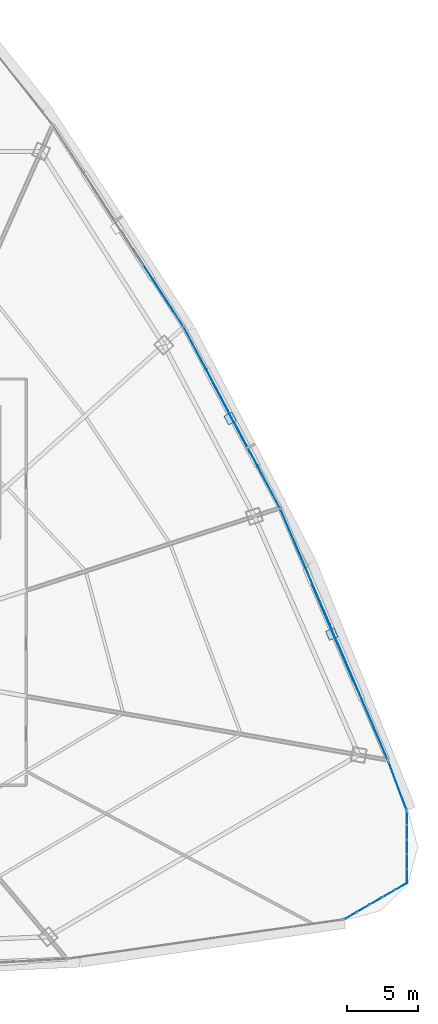
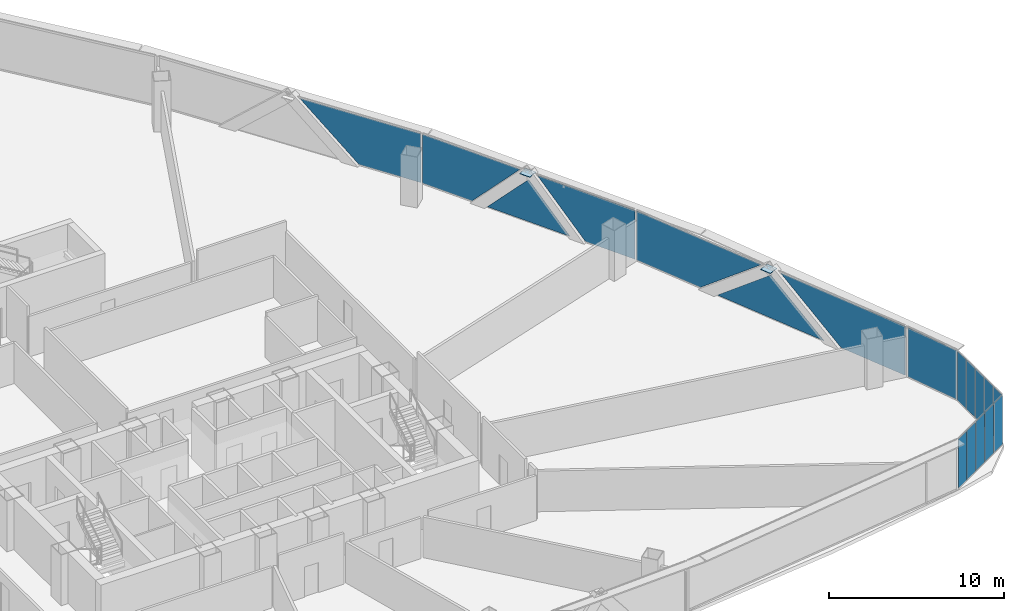
# One storey, part 30 of 39: 20 plates, 6 elements without a shape of their own.
"""IFC4 building model written with IfcOpenShell, lengths in metres."""

from ifc_helpers import new_model, si_unit, direction, frame, origin, origin_2d, place, context, subcontext, project, spatial, polyline, rectangle, outline, extrude, source, transform, mapped, material, layer, layer_set, type_object, element, aggregate, save


model = new_model("IFC4")

# Units and contexts
model_context = context("Model", 3, precision=1e-05, world=origin(), true_north=direction((0.0, 1.0)))
body_context = subcontext(model_context, "Body", "Model", "MODEL_VIEW")
ifc_project = project(units=[si_unit("LENGTHUNIT", "METRE"), si_unit("AREAUNIT", "SQUARE_METRE"), si_unit("VOLUMEUNIT", "CUBIC_METRE"), si_unit("PLANEANGLEUNIT", "RADIAN"), si_unit("MASSUNIT", "GRAM", prefix="KILO"), si_unit("THERMODYNAMICTEMPERATUREUNIT", "KELVIN"), si_unit("POWERUNIT", "WATT")], contexts=[model_context])

# Site, building, storey
site_placement = place(None, origin())
site = spatial("IfcSite", under=ifc_project, at=site_placement, CompositionType="ELEMENT")
building_placement = place(site_placement, origin())
building = spatial("IfcBuilding", under=site, at=building_placement, Name="Yunzhuo Pagoda Commons", CompositionType="ELEMENT")
storey_placement = place(building_placement, frame((0.0, 0.0, 100.179931640625)))
storey = spatial("IfcBuildingStorey", under=building, at=storey_placement, Name="L25", CompositionType="ELEMENT", Elevation=100.179931640625)

# Curtain wall, plates
ifc_material_1 = material(Name="Anodized aluminium 6063-T6", Category="aluminium")
ifc_layer_1 = layer(ifc_material_1, 0.1650390625)
ifc_layer_set_1 = layer_set([ifc_layer_1], Name="Anodized aluminium 6063-T6")
curtain_wall_type_1 = type_object("IfcCurtainWallType", Name="CW-LOW Low-Zone Ribbon Curtain Wall", PredefinedType="NOTDEFINED", material=ifc_layer_set_1)
curtain_wall_1_placement = place(storey_placement, origin())
curtain_wall_1 = element("IfcCurtainWall", 1, at=curtain_wall_1_placement, inside=storey, type_object=curtain_wall_type_1, Name="L25 curtain wall CW-L25-F2B2", PredefinedType="NOTDEFINED")
ifc_material_2 = material(Name="Tempered low-e double glazing", Category="glass")
ifc_layer_2 = layer(ifc_material_2, 0.028076171875)
ifc_layer_set_2 = layer_set([ifc_layer_2], Name="Tempered low-e double glazing")
plate_type_1 = type_object("IfcPlateType", Name="CW-LOW-P Low-E Double Glazing 28", PredefinedType="CURTAIN_PANEL", material=ifc_layer_set_2)
plate_1_placement = place(storey_placement, frame((86.6123046875, 30.727294921875, 1.77001953125), z_axis=(0.919382894415, 0.393363818185, 0.0), x_axis=(-0.393363818185, 0.919382894415, 0.0)))
plate_1 = element("IfcPlate", 2, at=plate_1_placement, type_object=plate_type_1, Name="CW panel 1.1 lite 1", PredefinedType="CURTAIN_PANEL", context=body_context, shape_type="SweptSolid", body=[
    extrude(outline(polyline([(-4.456787109375, -1.7099609375), (0.105224609375, -1.7099609375), (4.456787109375, 1.7099609375), (-4.456787109375, 1.7099609375), (-4.456787109375, -1.7099609375)])), origin(), (0.0, 0.0, 1.0), 0.028076171875),
])
plate_2_placement = place(storey_placement, frame((84.5595703125, 35.448486328125, 1.558349609375), z_axis=(0.919382894415, 0.393363818185, 0.0), x_axis=(-0.393363818185, 0.919382894415, 0.0)))
plate_2 = element("IfcPlate", 3, at=plate_2_placement, type_object=plate_type_1, Name="CW panel 1.1 lite 2", PredefinedType="CURTAIN_PANEL", context=body_context, shape_type="SweptSolid", body=[
    extrude(outline(polyline([(-3.812744140625, -1.498291015625), (3.812744140625, -1.498291015625), (0.0, 1.498291015625), (-3.812744140625, -1.498291015625)])), origin(), (0.0, 0.0, 1.0), 0.028076171875),
])
plate_3_placement = place(storey_placement, frame((82.562255859375, 40.193359375, 1.77001953125), z_axis=(0.919382894415, 0.393363818185, 0.0), x_axis=(-0.393363818185, 0.919382894415, 0.0)))
plate_3 = element("IfcPlate", 4, at=plate_3_placement, type_object=plate_type_1, Name="CW panel 1.1 lite 3", PredefinedType="CURTAIN_PANEL", context=body_context, shape_type="SweptSolid", body=[
    extrude(outline(polyline([(-4.456787109375, 1.7099609375), (-0.105224609375, -1.7099609375), (4.456787109375, -1.7099609375), (4.456787109375, 1.7099609375), (-4.456787109375, 1.7099609375)])), origin(), (0.0, 0.0, 1.0), 0.028076171875),
])
aggregate(curtain_wall_1, [plate_1, plate_2, plate_3])

curtain_wall_2_placement = place(storey_placement, origin())
curtain_wall_2 = element("IfcCurtainWall", 5, at=curtain_wall_2_placement, inside=storey, type_object=curtain_wall_type_1, Name="L25 curtain wall CW-L25-F2B3", PredefinedType="NOTDEFINED")
plate_4_placement = place(storey_placement, frame((79.208740234375, 47.3125, 1.77001953125), z_axis=(0.882975865639, 0.469418385558, 0.0), x_axis=(-0.469418385558, 0.882975865639, 0.0)))
plate_4 = element("IfcPlate", 6, at=plate_4_placement, type_object=plate_type_1, Name="CW panel 1.1 lite 1", PredefinedType="CURTAIN_PANEL", context=body_context, shape_type="SweptSolid", body=[
    extrude(outline(polyline([(-3.290771484375, -1.7099609375), (0.0380859375, -1.7099609375), (3.290771484375, 1.7099609375), (-3.290771484375, 1.7099609375), (-3.290771484375, -1.7099609375)])), origin(), (0.0, 0.0, 1.0), 0.028076171875),
])
plate_5_placement = place(storey_placement, frame((77.364501953125, 50.717529296875, 1.5244140625), z_axis=(0.882975865639, 0.469418385558, 0.0), x_axis=(-0.469418385558, 0.882975865639, 0.0)))
plate_5 = element("IfcPlate", 7, at=plate_5_placement, type_object=plate_type_1, Name="CW panel 1.1 lite 2", PredefinedType="CURTAIN_PANEL", context=body_context, shape_type="SweptSolid", body=[
    extrude(outline(polyline([(-2.78515625, -1.46435546875), (2.78515625, -1.46435546875), (0.0, 1.46435546875), (-2.78515625, -1.46435546875)])), origin(), (0.0, 0.0, 1.0), 0.028076171875),
])
plate_6_placement = place(storey_placement, frame((75.573486328125, 54.150634765625, 1.77001953125), z_axis=(0.882975865639, 0.469418385558, 0.0), x_axis=(-0.469418385558, 0.882975865639, 0.0)))
plate_6 = element("IfcPlate", 8, at=plate_6_placement, type_object=plate_type_1, Name="CW panel 1.1 lite 3", PredefinedType="CURTAIN_PANEL", context=body_context, shape_type="SweptSolid", body=[
    extrude(outline(polyline([(-3.29052734375, 1.7099609375), (-0.0380859375, -1.7099609375), (3.29052734375, -1.7099609375), (3.29052734375, 1.7099609375), (-3.29052734375, 1.7099609375)])), origin(), (0.0, 0.0, 1.0), 0.028076171875),
])
aggregate(curtain_wall_2, [plate_4, plate_5, plate_6])

# Curtain wall, plate
curtain_wall_3_placement = place(storey_placement, origin())
curtain_wall_3 = element("IfcCurtainWall", 9, at=curtain_wall_3_placement, inside=storey, type_object=curtain_wall_type_1, Name="L25 curtain wall CW-L25-F2B4", PredefinedType="NOTDEFINED")
plate_7_placement = place(storey_placement, frame((71.844482421875, 60.434326171875, 1.77001953125), z_axis=(0.838972259493, 0.544174188841, 0.0), x_axis=(-0.544174188841, 0.838972259493, 0.0)))
plate_7 = element("IfcPlate", 10, at=plate_7_placement, type_object=plate_type_1, Name="CW panel 1.1 lite 1", PredefinedType="CURTAIN_PANEL", context=body_context, shape_type="SweptSolid", body=[
    extrude(outline(polyline([(-3.894287109375, -1.7099609375), (0.073486328125, -1.7099609375), (3.894287109375, 1.7099609375), (-3.894287109375, 1.7099609375), (-3.894287109375, -1.7099609375)])), origin(), (0.0, 0.0, 1.0), 0.028076171875),
])
aggregate(curtain_wall_3, [plate_7])

# Plates
ifc_material_3 = material(Name="Structural steel Q355B", Category="steel")
ifc_layer_3 = layer(ifc_material_3, 0.028076171875)
ifc_layer_set_3 = layer_set([ifc_layer_3], Name="Structural steel Q355B")
plate_type_2 = type_object("IfcPlateType", Name="SP-ND1 Lattice Node Cap Plate 800x500x28", PredefinedType="USERDEFINED", material=ifc_layer_set_3)
shared_shape_1 = source(origin(), body_context, "Body", "SweptSolid", [
    extrude(rectangle(XDim=0.699951171875, YDim=0.654541015625, at=origin_2d()), origin(), (0.0, 0.0, 1.0), 0.035888671875),
])
plate_8_placement = place(storey_placement, frame((84.447998046875, 35.458984375, 3.501953125), z_axis=(0.0, 0.0, 1.0), x_axis=(-0.393364322102, 0.919382678811, 0.0)))
element("IfcPlate", 11, at=plate_8_placement, inside=storey, type_object=plate_type_2, Name="L25 setback lattice tie plate F2.1L", ObjectType="STIFFENER_PLATE", PredefinedType="USERDEFINED", context=body_context, shape_type="MappedRepresentation", body=[
    mapped(shared_shape_1, transform((0.0, 0.0, 0.0), scale=1.0)),
])
shared_shape_2 = source(origin(), body_context, "Body", "SweptSolid", [
    extrude(rectangle(XDim=0.699951171875, YDim=0.626220703125, at=origin_2d()), origin(), (0.0, 0.0, 1.0), 0.035888671875),
])
plate_9_placement = place(storey_placement, frame((77.283935546875, 50.669189453125, 3.501953125), z_axis=(0.0, 0.0, 1.0), x_axis=(-0.469425331115, 0.882972173122, 0.0)))
element("IfcPlate", 12, at=plate_9_placement, inside=storey, type_object=plate_type_2, Name="L25 setback lattice tie plate F2.2L", ObjectType="STIFFENER_PLATE", PredefinedType="USERDEFINED", context=body_context, shape_type="MappedRepresentation", body=[
    mapped(shared_shape_2, transform((0.0, 0.0, 0.0), scale=1.0)),
])

# Curtain wall, plate
curtain_wall_4_placement = place(storey_placement, origin())
curtain_wall_4 = element("IfcCurtainWall", 13, at=curtain_wall_4_placement, inside=storey, type_object=curtain_wall_type_1, Name="L25 curtain wall CW-L25-F2B1", PredefinedType="NOTDEFINED")
shared_shape_3 = source(origin(), body_context, "Body", "SweptSolid", [
    extrude(rectangle(XDim=3.582763671875, YDim=0.028076171875, at=origin_2d()), origin(), (0.0, 0.0, 1.0), 3.419921875),
])
plate_10_placement = place(storey_placement, frame((89.086669921875, 24.768798828125, 0.06005859375), z_axis=(0.0, 0.0, 1.0), x_axis=(-0.353448231461, 0.935454086355, 0.0)))
plate_10 = element("IfcPlate", 14, at=plate_10_placement, type_object=plate_type_1, Name="CW panel 1.1", PredefinedType="CURTAIN_PANEL", context=body_context, shape_type="MappedRepresentation", body=[
    mapped(shared_shape_3, transform((0.0, 0.0, 0.0), scale=1.0)),
])
aggregate(curtain_wall_4, [plate_10])

# Curtain wall, plates
ifc_layer_4 = layer(ifc_material_1, 0.1298828125)
ifc_layer_set_4 = layer_set([ifc_layer_4], Name="Anodized aluminium 6063-T6")
curtain_wall_type_2 = type_object("IfcCurtainWallType", Name="CW-VTX Rounded Corner Curtain Wall", PredefinedType="NOTDEFINED", material=ifc_layer_set_4)
curtain_wall_5_placement = place(storey_placement, origin())
curtain_wall_5 = element("IfcCurtainWall", 15, at=curtain_wall_5_placement, inside=storey, type_object=curtain_wall_type_2, Name="L25 curtain wall CW-L25-VTX2S1", PredefinedType="NOTDEFINED")
ifc_layer_5 = layer(ifc_material_2, 0.02587890625)
ifc_layer_set_5 = layer_set([ifc_layer_5], Name="Tempered low-e double glazing")
plate_type_3 = type_object("IfcPlateType", Name="CW-VTX-P Low-E Double Glazing 26", PredefinedType="CURTAIN_PANEL", material=ifc_layer_set_5)
shared_shape_4 = source(origin(), body_context, "Body", "SweptSolid", [
    extrude(rectangle(XDim=0.953125, YDim=0.028076171875, at=origin_2d()), origin(), (0.0, 0.0, 1.0), 3.429931640625),
])
plate_11_placement = place(storey_placement, frame((85.7802734375, 15.59619140625, 0.05517578125), z_axis=(0.0, 0.0, 1.0), x_axis=(0.865426726249, 0.501035509214, 0.0)))
plate_11 = element("IfcPlate", 16, at=plate_11_placement, type_object=plate_type_3, Name="CW panel 1.1", PredefinedType="CURTAIN_PANEL", context=body_context, shape_type="MappedRepresentation", body=[
    mapped(shared_shape_4, transform((0.0, 0.0, 0.0), scale=1.0)),
])
plate_12_placement = place(storey_placement, frame((89.341064453125, 17.65771484375, 0.05517578125), z_axis=(0.0, 0.0, 1.0), x_axis=(0.865426726249, 0.501035509214, 0.0)))
plate_12 = element("IfcPlate", 17, at=plate_12_placement, type_object=plate_type_3, Name="CW panel 5.1", PredefinedType="CURTAIN_PANEL", context=body_context, shape_type="MappedRepresentation", body=[
    mapped(shared_shape_4, transform((0.0, 0.0, 0.0), scale=1.0)),
])

curtain_wall_6_placement = place(storey_placement, origin())
curtain_wall_6 = element("IfcCurtainWall", 18, at=curtain_wall_6_placement, inside=storey, type_object=curtain_wall_type_2, Name="L25 curtain wall CW-L25-VTX2S2", PredefinedType="NOTDEFINED")
plate_13_placement = place(storey_placement, frame((89.75927734375, 18.38623046875, 0.05517578125), z_axis=(0.0, 0.0, 1.0), x_axis=(-0.003572992237, 0.999993616843, 0.0)))
plate_13 = element("IfcPlate", 19, at=plate_13_placement, type_object=plate_type_3, Name="CW panel 1.1", PredefinedType="CURTAIN_PANEL", context=body_context, shape_type="MappedRepresentation", body=[
    mapped(shared_shape_4, transform((0.0, 0.0, 0.0), scale=1.0)),
])
plate_14_placement = place(storey_placement, frame((89.74462890625, 22.500732421875, 0.05517578125), z_axis=(0.0, 0.0, 1.0), x_axis=(-0.003572992237, 0.999993616843, 0.0)))
plate_14 = element("IfcPlate", 20, at=plate_14_placement, type_object=plate_type_3, Name="CW panel 5.1", PredefinedType="CURTAIN_PANEL", context=body_context, shape_type="MappedRepresentation", body=[
    mapped(shared_shape_4, transform((0.0, 0.0, 0.0), scale=1.0)),
])

# Plate
shared_shape_5 = source(origin(), body_context, "Body", "SweptSolid", [
    extrude(rectangle(XDim=0.98046875, YDim=0.028076171875, at=origin_2d()), origin(), (0.0, 0.0, 1.0), 3.429931640625),
])
plate_15_placement = place(storey_placement, frame((86.66455078125, 16.108154296875, 0.05517578125), z_axis=(0.0, 0.0, 1.0), x_axis=(0.865426726249, 0.501035509214, 0.0)))
plate_15 = element("IfcPlate", 21, at=plate_15_placement, type_object=plate_type_3, Name="CW panel 2.1", PredefinedType="CURTAIN_PANEL", context=body_context, shape_type="MappedRepresentation", body=[
    mapped(shared_shape_5, transform((0.0, 0.0, 0.0), scale=1.0)),
])

plate_16_placement = place(storey_placement, frame((87.560546875, 16.626953125, 0.05517578125), z_axis=(0.0, 0.0, 1.0), x_axis=(0.865426726249, 0.501035509214, 0.0)))
plate_16 = element("IfcPlate", 22, at=plate_16_placement, type_object=plate_type_3, Name="CW panel 3.1", PredefinedType="CURTAIN_PANEL", context=body_context, shape_type="MappedRepresentation", body=[
    mapped(shared_shape_5, transform((0.0, 0.0, 0.0), scale=1.0)),
])

plate_17_placement = place(storey_placement, frame((88.456787109375, 17.145751953125, 0.05517578125), z_axis=(0.0, 0.0, 1.0), x_axis=(0.865426726249, 0.501035509214, 0.0)))
plate_17 = element("IfcPlate", 23, at=plate_17_placement, type_object=plate_type_3, Name="CW panel 4.1", PredefinedType="CURTAIN_PANEL", context=body_context, shape_type="MappedRepresentation", body=[
    mapped(shared_shape_5, transform((0.0, 0.0, 0.0), scale=1.0)),
])

aggregate(curtain_wall_5, [plate_11, plate_15, plate_16, plate_17, plate_12])

plate_18_placement = place(storey_placement, frame((89.755615234375, 19.407958984375, 0.05517578125), z_axis=(0.0, 0.0, 1.0), x_axis=(-0.003572992237, 0.999993616843, 0.0)))
plate_18 = element("IfcPlate", 24, at=plate_18_placement, type_object=plate_type_3, Name="CW panel 2.1", PredefinedType="CURTAIN_PANEL", context=body_context, shape_type="MappedRepresentation", body=[
    mapped(shared_shape_5, transform((0.0, 0.0, 0.0), scale=1.0)),
])

plate_19_placement = place(storey_placement, frame((89.751953125, 20.443359375, 0.05517578125), z_axis=(0.0, 0.0, 1.0), x_axis=(-0.003572992237, 0.999993616843, 0.0)))
plate_19 = element("IfcPlate", 25, at=plate_19_placement, type_object=plate_type_3, Name="CW panel 3.1", PredefinedType="CURTAIN_PANEL", context=body_context, shape_type="MappedRepresentation", body=[
    mapped(shared_shape_5, transform((0.0, 0.0, 0.0), scale=1.0)),
])

plate_20_placement = place(storey_placement, frame((89.748291015625, 21.47900390625, 0.05517578125), z_axis=(0.0, 0.0, 1.0), x_axis=(-0.003572992237, 0.999993616843, 0.0)))
plate_20 = element("IfcPlate", 26, at=plate_20_placement, type_object=plate_type_3, Name="CW panel 4.1", PredefinedType="CURTAIN_PANEL", context=body_context, shape_type="MappedRepresentation", body=[
    mapped(shared_shape_5, transform((0.0, 0.0, 0.0), scale=1.0)),
])

aggregate(curtain_wall_6, [plate_13, plate_18, plate_19, plate_20, plate_14])

save(model, "model.ifc")
